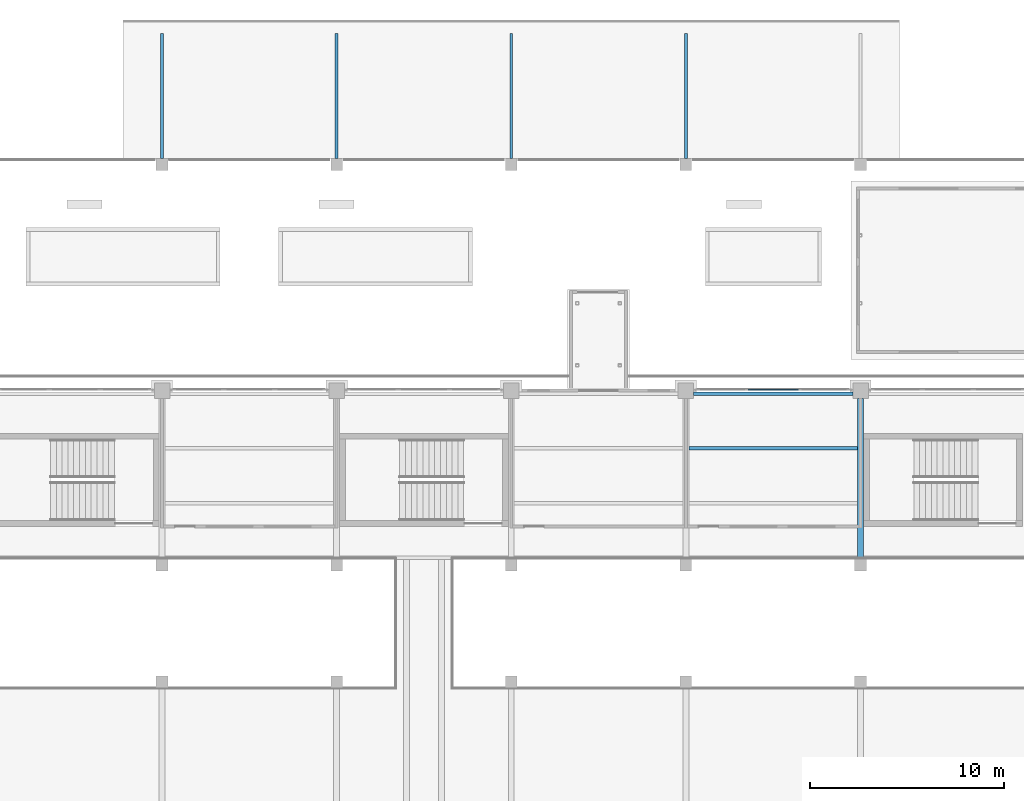
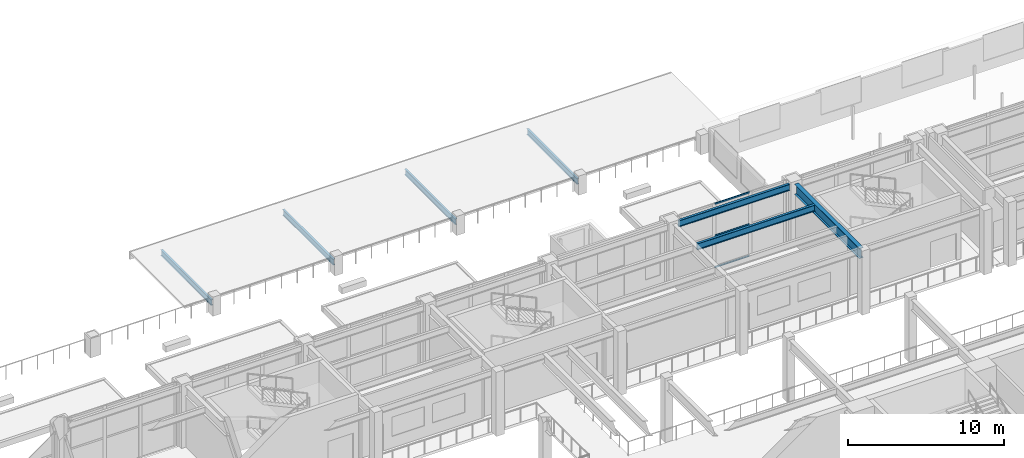
# One storey, part 17 of 67: 7 beams, 3 members, 1 element without a shape of its own.
"""IFC4 building model written with IfcOpenShell, lengths in metres."""

from ifc_helpers import new_model, si_unit, direction, frame, origin, origin_2d, place, context, subcontext, project, spatial, rectangle, i_section, extrude, material, material_profile, profile_set, type_object, element, aggregate, save


model = new_model("IFC4")

# Units and contexts
model_context = context("Model", 3, precision=1e-05, world=origin(), true_north=direction((0.0, 1.0)))
body_context = subcontext(model_context, "Body", "Model", "MODEL_VIEW")
ifc_project = project(units=[si_unit("LENGTHUNIT", "METRE"), si_unit("AREAUNIT", "SQUARE_METRE"), si_unit("VOLUMEUNIT", "CUBIC_METRE"), si_unit("PLANEANGLEUNIT", "RADIAN"), si_unit("MASSUNIT", "GRAM", prefix="KILO")], contexts=[model_context])

# Site, building, storey
site_placement = place(None, origin())
site = spatial("IfcSite", under=ifc_project, at=site_placement, CompositionType="ELEMENT")
building_placement = place(site_placement, origin())
building = spatial("IfcBuilding", under=site, at=building_placement, Name="Aravalli Gate Trade Fair Centre", CompositionType="ELEMENT")
storey_placement = place(building_placement, frame((0.0, 0.0, 5.0)))
storey = spatial("IfcBuildingStorey", under=building, at=storey_placement, Name="L01", CompositionType="ELEMENT", Elevation=5.0)

# Curtain wall, members
ifc_material_1 = material(Name="Aluminium and glass", Category="aluminium")
curtain_wall_type = type_object("IfcCurtainWallType", Name="Curtain wall 3000 module, tall", PredefinedType="NOTDEFINED", material=ifc_material_1)
curtain_wall_placement = place(storey_placement, origin())
curtain_wall = element("IfcCurtainWall", 1, at=curtain_wall_placement, inside=storey, type_object=curtain_wall_type, Name="Curtain wall north bay 10 L01", PredefinedType="NOTDEFINED")
ifc_material_2 = material(Name="Aluminium", Category="aluminium")
ifc_material_profile_1 = material_profile(ifc_material_2, rectangle(XDim=0.06005859375, YDim=0.1201171875, at=origin_2d()), Name="Concourse curtain wall transom 60 x 120")
ifc_profile_set_1 = profile_set([ifc_material_profile_1], Name="Aluminium")
member_type = type_object("IfcMemberType", Name="Concourse curtain wall transom 60 x 120", PredefinedType="USERDEFINED", material=ifc_profile_set_1)
member_1_placement = place(storey_placement, frame((90.21337890625, 133.044921875, 0.030029296875), z_axis=(1.0, 0.0, 0.0), x_axis=(0.0, 1.0, 0.0)))
member_1 = element("IfcMember", 2, at=member_1_placement, type_object=member_type, Name="CW3 transom 2.1", ObjectType="TRANSOM", PredefinedType="USERDEFINED", context=body_context, shape_type="SweptSolid", body=[
    extrude(rectangle(XDim=0.06005859375, YDim=0.1201171875, at=origin_2d()), origin(), (0.0, 0.0, 1.0), 2.5732421875),
])
member_2_placement = place(storey_placement, frame((90.21337890625, 133.044921875, 2.5), z_axis=(1.0, 0.0, 0.0), x_axis=(0.0, 1.0, 0.0)))
member_2 = element("IfcMember", 3, at=member_2_placement, type_object=member_type, Name="CW3 transom 2.2", ObjectType="TRANSOM", PredefinedType="USERDEFINED", context=body_context, shape_type="SweptSolid", body=[
    extrude(rectangle(XDim=0.06005859375, YDim=0.1201171875, at=origin_2d()), origin(), (0.0, 0.0, 1.0), 2.5732421875),
])
member_3_placement = place(storey_placement, frame((90.21337890625, 133.044921875, 4.969970703125), z_axis=(1.0, 0.0, 0.0), x_axis=(0.0, 1.0, 0.0)))
member_3 = element("IfcMember", 4, at=member_3_placement, type_object=member_type, Name="CW3 transom 2.3", ObjectType="TRANSOM", PredefinedType="USERDEFINED", context=body_context, shape_type="SweptSolid", body=[
    extrude(rectangle(XDim=0.06005859375, YDim=0.1201171875, at=origin_2d()), origin(), (0.0, 0.0, 1.0), 2.5732421875),
])
aggregate(curtain_wall, [member_1, member_2, member_3])

# Beams
ifc_material_3 = material(Name="Steel E350", Category="steel")
ifc_material_profile_2 = material_profile(ifc_material_3, i_section(OverallWidth=0.14990234375, OverallDepth=0.449951171875, WebThickness=0.009521484375, FlangeThickness=0.017333984375, at=origin_2d()), Name="ISMB 450")
ifc_profile_set_2 = profile_set([ifc_material_profile_2], Name="Steel E350")
beam_type_1 = type_object("IfcBeamType", Name="ISMB 450 entrance canopy beam", PredefinedType="BEAM", material=ifc_profile_set_2)
for number, where, z_axis, x_axis, name in (
    (5, (60.0, 144.949951171875, 0.625), (0.0, 1.0, 0.0), (-1.0, 0.0, 0.0), "Entrance canopy beam 60"),
    (6, (69.0, 144.949951171875, 0.625), (0.0, 1.0, 0.0), (-1.0, 0.0, 0.0), "Entrance canopy beam 69"),
    (7, (78.0, 144.949951171875, 0.625), (0.0, 1.0, 0.0), (-1.0, 0.0, 0.0), "Entrance canopy beam 78"),
    (8, (87.0, 144.949951171875, 0.625), (0.0, 1.0, 0.0), (-1.0, 0.0, 0.0), "Entrance canopy beam 87"),
):
    element("IfcBeam", number, at=place(storey_placement, frame(where, z_axis=z_axis, x_axis=x_axis)), inside=storey, type_object=beam_type_1, Name=name, PredefinedType="BEAM", context=body_context, shape_type="SweptSolid", body=[
        extrude(i_section(OverallWidth=0.14990234375, OverallDepth=0.449951171875, WebThickness=0.009521484375, FlangeThickness=0.017333984375, at=origin_2d()), origin(), (0.0, 0.0, 1.0), 6.466064453125),
    ])
ifc_material_profile_3 = material_profile(ifc_material_3, i_section(OverallWidth=0.179931640625, OverallDepth=0.5, WebThickness=0.01025390625, FlangeThickness=0.01708984375, at=origin_2d()), Name="ISMB 500")
ifc_profile_set_3 = profile_set([ifc_material_profile_3], Name="Steel E350")
beam_type_2 = type_object("IfcBeamType", Name="ISMB 500 gallery secondary beam", PredefinedType="JOIST", material=ifc_profile_set_3)
beam_1_placement = place(storey_placement, frame((87.14990234375, 130.0166015625, 4.550048828125), z_axis=(1.0, 0.0, 0.0), x_axis=(0.0, 1.0, 0.0)))
element("IfcBeam", 9, at=beam_1_placement, inside=storey, type_object=beam_type_2, Name="Gallery beam N4 10-11 L02", PredefinedType="JOIST", context=body_context, shape_type="SweptSolid", body=[
    extrude(i_section(OverallWidth=0.179931640625, OverallDepth=0.5, WebThickness=0.01025390625, FlangeThickness=0.01708984375, at=origin_2d()), origin(), (0.0, 0.0, 1.0), 8.7001953125),
])
beam_2_placement = place(storey_placement, frame((87.39990234375, 132.830078125, 4.550048828125), z_axis=(1.0, 0.0, 0.0), x_axis=(0.0, 1.0, 0.0)))
element("IfcBeam", 10, at=beam_2_placement, inside=storey, type_object=beam_type_2, Name="Gallery beam N5 10-11 L02", PredefinedType="JOIST", context=body_context, shape_type="SweptSolid", body=[
    extrude(i_section(OverallWidth=0.179931640625, OverallDepth=0.5, WebThickness=0.01025390625, FlangeThickness=0.01708984375, at=origin_2d()), origin(), (0.0, 0.0, 1.0), 8.2001953125),
])
ifc_material_profile_4 = material_profile(ifc_material_3, i_section(OverallWidth=0.300048828125, OverallDepth=0.800048828125, WebThickness=0.011962890625, FlangeThickness=0.02490234375, at=origin_2d()), Name="PG 800x300x12x25")
ifc_profile_set_4 = profile_set([ifc_material_profile_4], Name="Steel E350")
beam_type_3 = type_object("IfcBeamType", Name="PG 800x300x12x25 gallery plate girder", PredefinedType="BEAM", material=ifc_profile_set_4)
beam_3_placement = place(storey_placement, frame((96.0, 124.300048828125, 4.39990234375), z_axis=(0.0, 1.0, 0.0), x_axis=(-1.0, 0.0, 0.0)))
element("IfcBeam", 11, at=beam_3_placement, inside=storey, type_object=beam_type_3, Name="Gallery girder N11 L02", PredefinedType="BEAM", context=body_context, shape_type="SweptSolid", body=[
    extrude(i_section(OverallWidth=0.300048828125, OverallDepth=0.800048828125, WebThickness=0.011962890625, FlangeThickness=0.02490234375, at=origin_2d()), origin(), (0.0, 0.0, 1.0), 8.300048828125),
])

save(model, "model.ifc")
